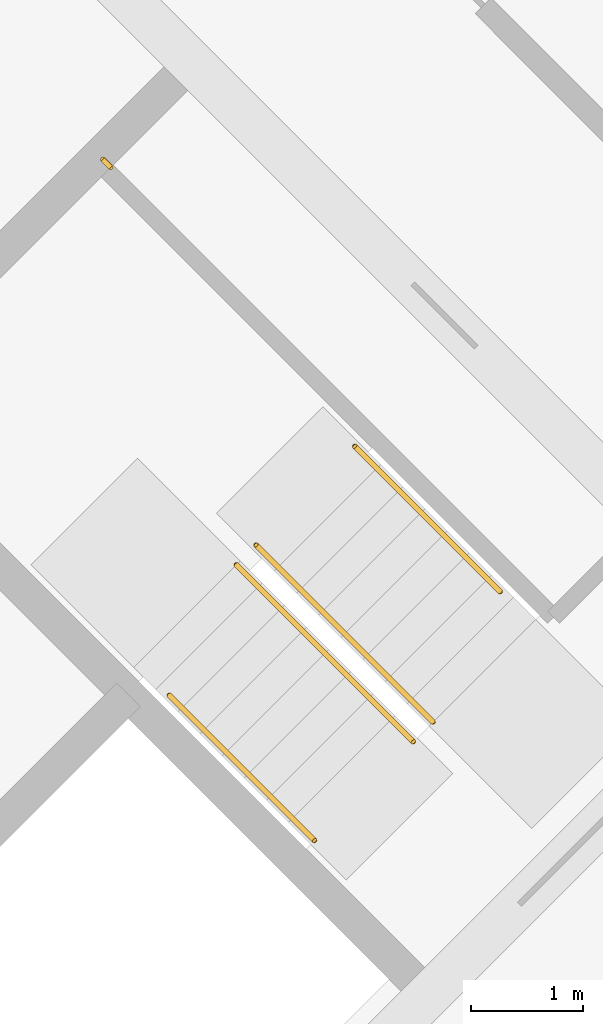
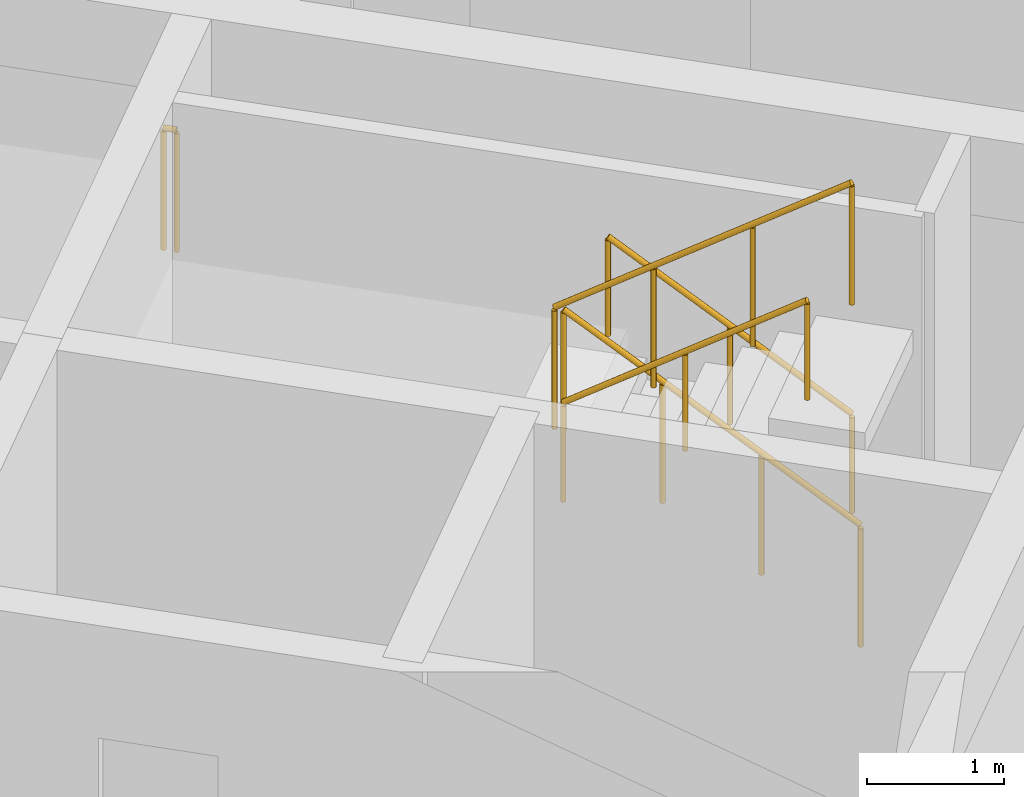
# One storey, part 12 of 12: 5 railings.
"""IFC4 building model written with IfcOpenShell, lengths in metres."""

from ifc_helpers import new_model, si_unit, direction, frame, origin, origin_2d, place, context, subcontext, project, spatial, circle, extrude, material, type_object, element, save


model = new_model("IFC4")

# Units and contexts
model_context = context("Model", 3, precision=1e-05, world=origin(), true_north=direction((0.0, 1.0)))
body_context = subcontext(model_context, "Body", "Model", "MODEL_VIEW")
ifc_project = project(units=[si_unit("LENGTHUNIT", "METRE"), si_unit("AREAUNIT", "SQUARE_METRE"), si_unit("VOLUMEUNIT", "CUBIC_METRE"), si_unit("PLANEANGLEUNIT", "RADIAN"), si_unit("MASSUNIT", "GRAM", prefix="KILO")], contexts=[model_context])

# Site, building, storey
site_placement = place(None, origin())
site = spatial("IfcSite", under=ifc_project, at=site_placement, CompositionType="ELEMENT")
building_placement = place(site_placement, origin())
building = spatial("IfcBuilding", under=site, at=building_placement, Name="Windrow Commons", CompositionType="ELEMENT")
storey_placement = place(building_placement, frame((0.0, 0.0, 250.6)))
storey = spatial("IfcBuildingStorey", under=building, at=storey_placement, Name="L68", CompositionType="ELEMENT", Elevation=250.6)

# Railings
ifc_material_1 = material(Name="Steel S355", Category="steel")
railing_type_1 = type_object("IfcRailingType", Name="Core stair guard 1100", PredefinedType="GUARDRAIL", material=ifc_material_1)
railing_1_placement = place(storey_placement, frame((94.2296, 48.4215, 0.1889)))
element("IfcRailing", 1, at=railing_1_placement, inside=storey, type_object=railing_type_1, Name="L68 ST-B2 stair guard 1", PredefinedType="GUARDRAIL", context=body_context, shape_type="SweptSolid", body=[
    extrude(circle(Radius=0.024, at=origin_2d()), frame((0.0, 0.0, 1.076), z_axis=(-0.5862157828, 0.5861787742, 0.5592365337), x_axis=(-0.7070844598, -0.7071291018, 0.0)), (0.0, 0.0, 1.0), 2.7021),
    extrude(circle(Radius=0.021, at=origin_2d()), origin(), (0.0, 0.0, 1.0), 1.052),
    extrude(circle(Radius=0.021, at=origin_2d()), frame((-0.528, 0.528, 0.5037)), (0.0, 0.0, 1.0), 1.052),
    extrude(circle(Radius=0.021, at=origin_2d()), frame((-1.056, 1.0559, 1.0074)), (0.0, 0.0, 1.0), 1.052),
    extrude(circle(Radius=0.021, at=origin_2d()), frame((-1.584, 1.5839, 1.5111)), (0.0, 0.0, 1.0), 1.052),
])
railing_2_placement = place(storey_placement, frame((92.4689, 49.8287, 1.8889)))
element("IfcRailing", 2, at=railing_2_placement, inside=storey, type_object=railing_type_1, Name="L68 ST-B2 stair guard 2", PredefinedType="GUARDRAIL", context=body_context, shape_type="SweptSolid", body=[
    extrude(circle(Radius=0.024, at=origin_2d()), frame((0.0, 0.0, 1.076), z_axis=(0.5861787742, -0.5862157828, 0.5592365337), x_axis=(0.7071291018, 0.7070844598, 0.0)), (0.0, 0.0, 1.0), 2.7021),
    extrude(circle(Radius=0.021, at=origin_2d()), origin(), (0.0, 0.0, 1.0), 1.052),
    extrude(circle(Radius=0.021, at=origin_2d()), frame((0.528, -0.528, 0.5037)), (0.0, 0.0, 1.0), 1.052),
    extrude(circle(Radius=0.021, at=origin_2d()), frame((1.0559, -1.056, 1.0074)), (0.0, 0.0, 1.0), 1.052),
    extrude(circle(Radius=0.021, at=origin_2d()), frame((1.5839, -1.584, 1.5111)), (0.0, 0.0, 1.0), 1.052),
])
railing_3_placement = place(storey_placement, frame((91.3446, 53.3854, 1.7)))
element("IfcRailing", 3, at=railing_3_placement, inside=storey, type_object=railing_type_1, Name="L68 ST-B2 stair guard 3", PredefinedType="GUARDRAIL", context=body_context, shape_type="SweptSolid", body=[
    extrude(circle(Radius=0.024, at=origin_2d()), frame((0.0, 0.0, 1.076), z_axis=(-0.7076063266, 0.7066068826, 0.0), x_axis=(-0.7066068826, -0.7076063266, 0.0)), (0.0, 0.0, 1.0), 0.1001),
    extrude(circle(Radius=0.021, at=origin_2d()), origin(), (0.0, 0.0, 1.0), 1.052),
    extrude(circle(Radius=0.021, at=origin_2d()), frame((-0.0708, 0.0707, 0.0)), (0.0, 0.0, 1.0), 1.052),
])
ifc_material_2 = material(Name="Steel S355", Category="steel")
railing_type_2 = type_object("IfcRailingType", Name="Core stair handrail 900", PredefinedType="HANDRAIL", material=ifc_material_2)
railing_4_placement = place(storey_placement, frame((94.8306, 49.5883, 0.4587)))
element("IfcRailing", 4, at=railing_4_placement, inside=storey, type_object=railing_type_2, Name="L68 ST-B2 stair handrail 1", PredefinedType="HANDRAIL", context=body_context, shape_type="SweptSolid", body=[
    extrude(circle(Radius=0.024, at=origin_2d()), frame((0.0, 0.0, 0.876), z_axis=(-0.586206706, 0.5861616513, 0.5592639952), x_axis=(-0.7070796062, -0.7071339551, 0.0)), (0.0, 0.0, 1.0), 2.2195),
    extrude(circle(Radius=0.021, at=origin_2d()), origin(), (0.0, 0.0, 1.0), 0.852),
    extrude(circle(Radius=0.021, at=origin_2d()), frame((-0.6506, 0.6505, 0.6207)), (0.0, 0.0, 1.0), 0.852),
    extrude(circle(Radius=0.021, at=origin_2d()), frame((-1.3011, 1.301, 1.2413)), (0.0, 0.0, 1.0), 0.852),
])
railing_5_placement = place(storey_placement, frame((91.8678, 48.6619, 2.1587)))
element("IfcRailing", 5, at=railing_5_placement, inside=storey, type_object=railing_type_2, Name="L68 ST-B2 stair handrail 2", PredefinedType="HANDRAIL", context=body_context, shape_type="SweptSolid", body=[
    extrude(circle(Radius=0.024, at=origin_2d()), frame((0.0, 0.0, 0.876), z_axis=(0.586206706, -0.5861616513, 0.5592639952), x_axis=(0.7070796062, 0.7071339551, 0.0)), (0.0, 0.0, 1.0), 2.2195),
    extrude(circle(Radius=0.021, at=origin_2d()), origin(), (0.0, 0.0, 1.0), 0.852),
    extrude(circle(Radius=0.021, at=origin_2d()), frame((0.6505, -0.6505, 0.6206)), (0.0, 0.0, 1.0), 0.852),
    extrude(circle(Radius=0.021, at=origin_2d()), frame((1.3011, -1.301, 1.2413)), (0.0, 0.0, 1.0), 0.852),
])

save(model, "model.ifc")
